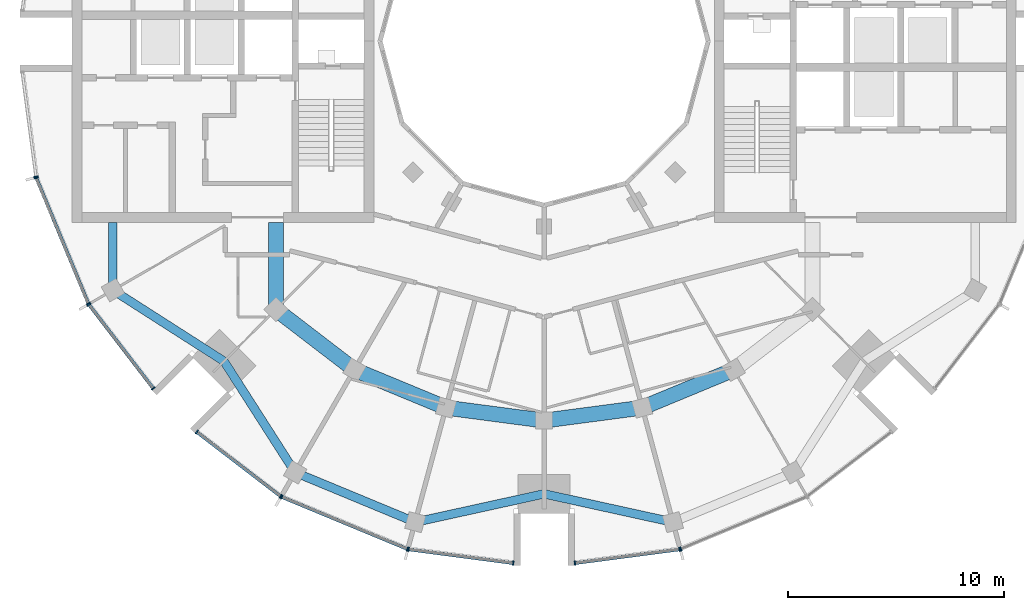
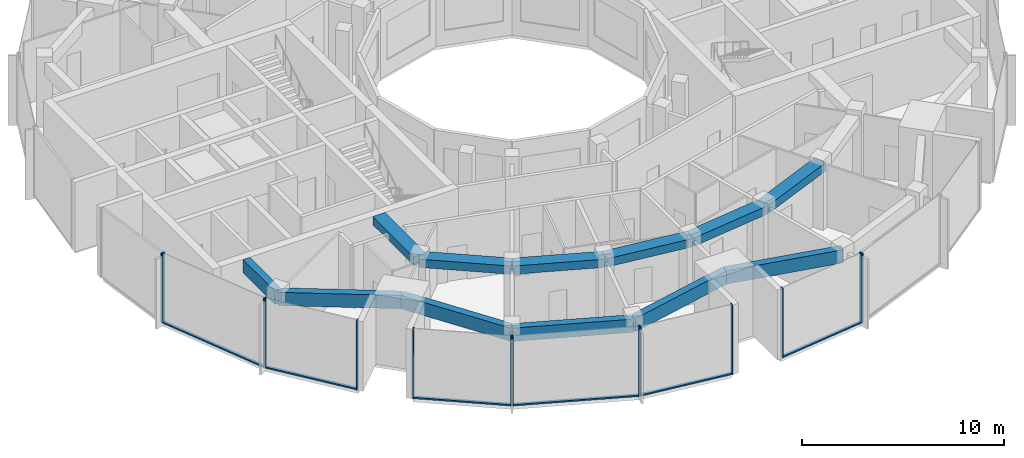
# One storey, part 2 of 15: 20 members, 12 beams, 8 elements without a shape of their own.
"""IFC4 building model written with IfcOpenShell, lengths in metres."""

from ifc_helpers import new_model, si_unit, direction, frame, origin, origin_2d, place, context, subcontext, project, spatial, rectangle, extrude, material, layer, layer_set, material_profile, profile_set, type_object, element, aggregate, save


model = new_model("IFC4")

# Units and contexts
model_context = context("Model", 3, precision=1e-05, world=origin(), true_north=direction((0.0, 1.0)))
body_context = subcontext(model_context, "Body", "Model", "MODEL_VIEW")
ifc_project = project(units=[si_unit("LENGTHUNIT", "METRE"), si_unit("AREAUNIT", "SQUARE_METRE"), si_unit("VOLUMEUNIT", "CUBIC_METRE"), si_unit("PLANEANGLEUNIT", "RADIAN"), si_unit("MASSUNIT", "GRAM", prefix="KILO")], contexts=[model_context])

# Site, building, storey
site_placement = place(None, origin())
site = spatial("IfcSite", under=ifc_project, at=site_placement, CompositionType="ELEMENT")
building_placement = place(site_placement, origin())
building = spatial("IfcBuilding", under=site, at=building_placement, Name="Torre Brocal", CompositionType="ELEMENT")
storey_placement = place(building_placement, frame((0.0, 0.0, 284.10009765625)))
storey = spatial("IfcBuildingStorey", under=building, at=storey_placement, Name="L65", CompositionType="ELEMENT", Elevation=284.10009765625)

# Curtain wall, members
ifc_material_1 = material(Name="Aluminium and glass", Category="aluminium")
ifc_layer_1 = layer(ifc_material_1, 0.199951171875)
ifc_layer_set_1 = layer_set([ifc_layer_1], Name="Aluminium and glass")
curtain_wall_type_1 = type_object("IfcCurtainWallType", Name="CW-1 CURTAIN WALL 4200 HIGH", PredefinedType="NOTDEFINED", material=ifc_layer_set_1)
curtain_wall_1_placement = place(storey_placement, origin())
curtain_wall_1 = element("IfcCurtainWall", 1, at=curtain_wall_1_placement, inside=storey, type_object=curtain_wall_type_1, Name="CW-1 RUN 14", PredefinedType="NOTDEFINED")
ifc_material_2 = material(Name="Aluminium, dark anodised", Category="aluminium")
ifc_material_profile_1 = material_profile(ifc_material_2, rectangle(XDim=0.199951171875, YDim=0.06005859375, at=origin_2d()), Name="CW-1 MULLION 60X200")
ifc_profile_set_1 = profile_set([ifc_material_profile_1], Name="Aluminium, dark anodised")
member_type_1 = type_object("IfcMemberType", Name="CW-1 MULLION 60X200", PredefinedType="MULLION", material=ifc_profile_set_1)
member_1_placement = place(storey_placement, frame((56.443603515625, 68.6572265625, 0.0), z_axis=(0.0, 0.0, 1.0), x_axis=(0.923879532471, 0.382683432462, 0.0)))
member_1 = element("IfcMember", 2, at=member_1_placement, type_object=member_type_1, Name="CW1-5 mullion 1", PredefinedType="MULLION", context=body_context, shape_type="SweptSolid", body=[
    extrude(rectangle(XDim=0.199951171875, YDim=0.06005859375, at=origin_2d()), origin(), (0.0, 0.0, 1.0), 4.199951171875),
])
member_2_placement = place(storey_placement, frame((58.858154296875, 62.828125, 0.0), z_axis=(0.0, 0.0, 1.0), x_axis=(0.923879532471, 0.382683432462, 0.0)))
member_2 = element("IfcMember", 3, at=member_2_placement, type_object=member_type_1, Name="CW1-5 mullion 2", PredefinedType="MULLION", context=body_context, shape_type="SweptSolid", body=[
    extrude(rectangle(XDim=0.199951171875, YDim=0.06005859375, at=origin_2d()), origin(), (0.0, 0.0, 1.0), 4.199951171875),
])

curtain_wall_2_placement = place(storey_placement, origin())
curtain_wall_2 = element("IfcCurtainWall", 4, at=curtain_wall_2_placement, inside=storey, type_object=curtain_wall_type_1, Name="CW-1 RUN 15", PredefinedType="NOTDEFINED")
member_3_placement = place(storey_placement, frame((58.887939453125, 62.776611328125, 0.0), z_axis=(0.0, 0.0, 1.0), x_axis=(0.793353340344, 0.608761428939, 0.0)))
member_3 = element("IfcMember", 5, at=member_3_placement, type_object=member_type_1, Name="CW1-5 mullion 1", PredefinedType="MULLION", context=body_context, shape_type="SweptSolid", body=[
    extrude(rectangle(XDim=0.199951171875, YDim=0.06005859375, at=origin_2d()), origin(), (0.0, 0.0, 1.0), 4.199951171875),
])
member_4_placement = place(storey_placement, frame((61.869384765625, 58.891357421875, 0.0), z_axis=(0.0, 0.0, 1.0), x_axis=(0.793353340344, 0.608761428939, 0.0)))
member_4 = element("IfcMember", 6, at=member_4_placement, type_object=member_type_1, Name="CW1-5 mullion 2", PredefinedType="MULLION", context=body_context, shape_type="SweptSolid", body=[
    extrude(rectangle(XDim=0.199951171875, YDim=0.06005859375, at=origin_2d()), origin(), (0.0, 0.0, 1.0), 4.199951171875),
])

curtain_wall_3_placement = place(storey_placement, origin())
curtain_wall_3 = element("IfcCurtainWall", 7, at=curtain_wall_3_placement, inside=storey, type_object=curtain_wall_type_1, Name="CW-1 RUN 16", PredefinedType="NOTDEFINED")
member_5_placement = place(storey_placement, frame((63.891357421875, 56.869384765625, 0.0), z_axis=(0.0, 0.0, 1.0), x_axis=(0.608761428939, 0.793353340344, 0.0)))
member_5 = element("IfcMember", 8, at=member_5_placement, type_object=member_type_1, Name="CW1-5 mullion 1", PredefinedType="MULLION", context=body_context, shape_type="SweptSolid", body=[
    extrude(rectangle(XDim=0.199951171875, YDim=0.06005859375, at=origin_2d()), origin(), (0.0, 0.0, 1.0), 4.199951171875),
])
member_6_placement = place(storey_placement, frame((67.776611328125, 53.887939453125, 0.0), z_axis=(0.0, 0.0, 1.0), x_axis=(0.608761428939, 0.793353340344, 0.0)))
member_6 = element("IfcMember", 9, at=member_6_placement, type_object=member_type_1, Name="CW1-5 mullion 2", PredefinedType="MULLION", context=body_context, shape_type="SweptSolid", body=[
    extrude(rectangle(XDim=0.199951171875, YDim=0.06005859375, at=origin_2d()), origin(), (0.0, 0.0, 1.0), 4.199951171875),
])

curtain_wall_4_placement = place(storey_placement, origin())
curtain_wall_4 = element("IfcCurtainWall", 10, at=curtain_wall_4_placement, inside=storey, type_object=curtain_wall_type_1, Name="CW-1 RUN 17", PredefinedType="NOTDEFINED")
member_7_placement = place(storey_placement, frame((67.828125, 53.858154296875, 0.0), z_axis=(0.0, 0.0, 1.0), x_axis=(0.382683432462, 0.923879532471, 0.0)))
member_7 = element("IfcMember", 11, at=member_7_placement, type_object=member_type_1, Name="CW1-5 mullion 1", PredefinedType="MULLION", context=body_context, shape_type="SweptSolid", body=[
    extrude(rectangle(XDim=0.199951171875, YDim=0.06005859375, at=origin_2d()), origin(), (0.0, 0.0, 1.0), 4.199951171875),
])
member_8_placement = place(storey_placement, frame((73.6572265625, 51.443603515625, 0.0), z_axis=(0.0, 0.0, 1.0), x_axis=(0.382683432462, 0.923879532471, 0.0)))
member_8 = element("IfcMember", 12, at=member_8_placement, type_object=member_type_1, Name="CW1-5 mullion 2", PredefinedType="MULLION", context=body_context, shape_type="SweptSolid", body=[
    extrude(rectangle(XDim=0.199951171875, YDim=0.06005859375, at=origin_2d()), origin(), (0.0, 0.0, 1.0), 4.199951171875),
])

curtain_wall_5_placement = place(storey_placement, origin())
curtain_wall_5 = element("IfcCurtainWall", 13, at=curtain_wall_5_placement, inside=storey, type_object=curtain_wall_type_1, Name="CW-1 RUN 18", PredefinedType="NOTDEFINED")
member_9_placement = place(storey_placement, frame((73.71484375, 51.42822265625, 0.0), z_axis=(0.0, 0.0, 1.0), x_axis=(0.130526192116, 0.991444861387, 0.0)))
member_9 = element("IfcMember", 14, at=member_9_placement, type_object=member_type_1, Name="CW1-5 mullion 1", PredefinedType="MULLION", context=body_context, shape_type="SweptSolid", body=[
    extrude(rectangle(XDim=0.199951171875, YDim=0.06005859375, at=origin_2d()), origin(), (0.0, 0.0, 1.0), 4.199951171875),
])
member_10_placement = place(storey_placement, frame((78.5703125, 50.7890625, 0.0), z_axis=(0.0, 0.0, 1.0), x_axis=(0.130526192116, 0.991444861387, 0.0)))
member_10 = element("IfcMember", 15, at=member_10_placement, type_object=member_type_1, Name="CW1-5 mullion 2", PredefinedType="MULLION", context=body_context, shape_type="SweptSolid", body=[
    extrude(rectangle(XDim=0.199951171875, YDim=0.06005859375, at=origin_2d()), origin(), (0.0, 0.0, 1.0), 4.199951171875),
])

curtain_wall_6_placement = place(storey_placement, origin())
curtain_wall_6 = element("IfcCurtainWall", 16, at=curtain_wall_6_placement, inside=storey, type_object=curtain_wall_type_1, Name="CW-1 RUN 19", PredefinedType="NOTDEFINED")
member_11_placement = place(storey_placement, frame((81.4296875, 50.7890625, 0.0), z_axis=(0.0, 0.0, 1.0), x_axis=(-0.130526192116, 0.991444861387, 0.0)))
member_11 = element("IfcMember", 17, at=member_11_placement, type_object=member_type_1, Name="CW1-5 mullion 1", PredefinedType="MULLION", context=body_context, shape_type="SweptSolid", body=[
    extrude(rectangle(XDim=0.199951171875, YDim=0.06005859375, at=origin_2d()), origin(), (0.0, 0.0, 1.0), 4.199951171875),
])
member_12_placement = place(storey_placement, frame((86.28515625, 51.42822265625, 0.0), z_axis=(0.0, 0.0, 1.0), x_axis=(-0.130526192116, 0.991444861387, 0.0)))
member_12 = element("IfcMember", 18, at=member_12_placement, type_object=member_type_1, Name="CW1-5 mullion 2", PredefinedType="MULLION", context=body_context, shape_type="SweptSolid", body=[
    extrude(rectangle(XDim=0.199951171875, YDim=0.06005859375, at=origin_2d()), origin(), (0.0, 0.0, 1.0), 4.199951171875),
])

# Curtain wall, member
curtain_wall_7_placement = place(storey_placement, origin())
curtain_wall_7 = element("IfcCurtainWall", 19, at=curtain_wall_7_placement, inside=storey, type_object=curtain_wall_type_1, Name="CW-1 RUN 20", PredefinedType="NOTDEFINED")
member_13_placement = place(storey_placement, frame((86.3427734375, 51.443603515625, 0.0), z_axis=(0.0, 0.0, 1.0), x_axis=(-0.382683432462, 0.923879532471, 0.0)))
member_13 = element("IfcMember", 20, at=member_13_placement, type_object=member_type_1, Name="CW1-5 mullion 1", PredefinedType="MULLION", context=body_context, shape_type="SweptSolid", body=[
    extrude(rectangle(XDim=0.199951171875, YDim=0.06005859375, at=origin_2d()), origin(), (0.0, 0.0, 1.0), 4.199951171875),
])
aggregate(curtain_wall_7, [member_13])

# Member
ifc_material_3 = material(Name="Aluminium, dark anodised", Category="aluminium")
ifc_material_profile_2 = material_profile(ifc_material_3, rectangle(XDim=0.159912109375, YDim=0.080078125, at=origin_2d()), Name="CW-1 TRANSOM 160X80")
ifc_profile_set_2 = profile_set([ifc_material_profile_2], Name="Aluminium, dark anodised")
member_type_2 = type_object("IfcMemberType", Name="CW-1 TRANSOM 160X80", PredefinedType="USERDEFINED", material=ifc_profile_set_2)
member_14_placement = place(storey_placement, frame((56.455322265625, 68.629638671875, 0.039794921875), z_axis=(0.382658872004, -0.923889705363, 0.0), x_axis=(0.923889705363, 0.382658872004, 0.0)))
member_14 = element("IfcMember", 21, at=member_14_placement, type_object=member_type_2, Name="CW1-5 transom 1.1", ObjectType="TRANSOM", PredefinedType="USERDEFINED", context=body_context, shape_type="SweptSolid", body=[
    extrude(rectangle(XDim=0.159912109375, YDim=0.080078125, at=origin_2d()), origin(), (0.0, 0.0, 1.0), 6.249267578125),
])

aggregate(curtain_wall_1, [member_1, member_2, member_14])

member_15_placement = place(storey_placement, frame((58.90625, 62.7529296875, 0.039794921875), z_axis=(0.608749350163, -0.793362608569, 0.0), x_axis=(0.793362608569, 0.608749350163, 0.0)))
member_15 = element("IfcMember", 22, at=member_15_placement, type_object=member_type_2, Name="CW1-5 transom 1.1", ObjectType="TRANSOM", PredefinedType="USERDEFINED", context=body_context, shape_type="SweptSolid", body=[
    extrude(rectangle(XDim=0.159912109375, YDim=0.080078125, at=origin_2d()), origin(), (0.0, 0.0, 1.0), 4.83740234375),
])

aggregate(curtain_wall_2, [member_3, member_4, member_15])

member_16_placement = place(storey_placement, frame((63.9150390625, 56.85107421875, 0.039794921875), z_axis=(0.793362608569, -0.608749350163, 0.0), x_axis=(0.608749350163, 0.793362608569, 0.0)))
member_16 = element("IfcMember", 23, at=member_16_placement, type_object=member_type_2, Name="CW1-5 transom 1.1", ObjectType="TRANSOM", PredefinedType="USERDEFINED", context=body_context, shape_type="SweptSolid", body=[
    extrude(rectangle(XDim=0.159912109375, YDim=0.080078125, at=origin_2d()), origin(), (0.0, 0.0, 1.0), 4.83740234375),
])

aggregate(curtain_wall_3, [member_5, member_6, member_16])

member_17_placement = place(storey_placement, frame((67.85595703125, 53.8466796875, 0.039794921875), z_axis=(0.923889705363, -0.382658872004, 0.0), x_axis=(0.382658872004, 0.923889705363, 0.0)))
member_17 = element("IfcMember", 24, at=member_17_placement, type_object=member_type_2, Name="CW1-5 transom 1.1", ObjectType="TRANSOM", PredefinedType="USERDEFINED", context=body_context, shape_type="SweptSolid", body=[
    extrude(rectangle(XDim=0.159912109375, YDim=0.080078125, at=origin_2d()), origin(), (0.0, 0.0, 1.0), 6.249267578125),
])

aggregate(curtain_wall_4, [member_7, member_8, member_17])

member_18_placement = place(storey_placement, frame((73.74462890625, 51.42431640625, 0.039794921875), z_axis=(0.991446047842, -0.130517179786, 0.0), x_axis=(0.130517179786, 0.991446047842, 0.0)))
member_18 = element("IfcMember", 25, at=member_18_placement, type_object=member_type_2, Name="CW1-5 transom 1.1", ObjectType="TRANSOM", PredefinedType="USERDEFINED", context=body_context, shape_type="SweptSolid", body=[
    extrude(rectangle(XDim=0.159912109375, YDim=0.080078125, at=origin_2d()), origin(), (0.0, 0.0, 1.0), 4.837158203125),
])

aggregate(curtain_wall_5, [member_9, member_10, member_18])

member_19_placement = place(storey_placement, frame((81.45947265625, 50.79296875, 0.039794921875), z_axis=(0.991446047842, 0.130517179786, 0.0), x_axis=(-0.130517179786, 0.991446047842, 0.0)))
member_19 = element("IfcMember", 26, at=member_19_placement, type_object=member_type_2, Name="CW1-5 transom 1.1", ObjectType="TRANSOM", PredefinedType="USERDEFINED", context=body_context, shape_type="SweptSolid", body=[
    extrude(rectangle(XDim=0.159912109375, YDim=0.080078125, at=origin_2d()), origin(), (0.0, 0.0, 1.0), 4.837158203125),
])

aggregate(curtain_wall_6, [member_11, member_12, member_19])

# Curtain wall, member
ifc_material_4 = material(Name="Aluminium and glass", Category="aluminium")
ifc_layer_2 = layer(ifc_material_4, 0.199951171875)
ifc_layer_set_2 = layer_set([ifc_layer_2], Name="Aluminium and glass")
curtain_wall_type_2 = type_object("IfcCurtainWallType", Name="CW-1B CURTAIN WALL 4200 HIGH", PredefinedType="NOTDEFINED", material=ifc_layer_set_2)
curtain_wall_8_placement = place(storey_placement, origin())
curtain_wall_8 = element("IfcCurtainWall", 27, at=curtain_wall_8_placement, inside=storey, type_object=curtain_wall_type_2, Name="CW-1B RUN 13", PredefinedType="NOTDEFINED")
ifc_material_5 = material(Name="Aluminium, dark anodised", Category="aluminium")
ifc_material_profile_3 = material_profile(ifc_material_5, rectangle(XDim=0.199951171875, YDim=0.06005859375, at=origin_2d()), Name="CW-1B MULLION 60X200")
ifc_profile_set_3 = profile_set([ifc_material_profile_3], Name="Aluminium, dark anodised")
member_type_3 = type_object("IfcMemberType", Name="CW-1B MULLION 60X200", PredefinedType="MULLION", material=ifc_profile_set_3)
member_20_placement = place(storey_placement, frame((56.42822265625, 68.71484375, 0.0), z_axis=(0.0, 0.0, 1.0), x_axis=(0.991444861387, 0.130526192116, 0.0)))
member_20 = element("IfcMember", 28, at=member_20_placement, type_object=member_type_3, Name="CW1B-5 mullion 2", PredefinedType="MULLION", context=body_context, shape_type="SweptSolid", body=[
    extrude(rectangle(XDim=0.199951171875, YDim=0.06005859375, at=origin_2d()), origin(), (0.0, 0.0, 1.0), 4.199951171875),
])
aggregate(curtain_wall_8, [member_20])

# Beams
ifc_material_6 = material(Name="Concrete C50", Category="concrete")
ifc_material_profile_4 = material_profile(ifc_material_6, rectangle(XDim=0.699951171875, YDim=0.5, at=origin_2d()), Name="RC 700X500")
ifc_profile_set_4 = profile_set([ifc_material_profile_4], Name="Concrete C50")
beam_type_1 = type_object("IfcBeamType", Name="RC BEAM 700X500 C50 TOP 3880", PredefinedType="BEAM", material=ifc_profile_set_4)
beam_1_placement = place(storey_placement, frame((67.554931640625, 62.554931640625, 3.6298828125), z_axis=(0.0, 1.0, 0.0), x_axis=(-1.0, 0.0, 0.0)))
element("IfcBeam", 29, at=beam_1_placement, inside=storey, type_object=beam_type_1, Name="Beam BT-37", PredefinedType="BEAM", context=body_context, shape_type="SweptSolid", body=[
    extrude(rectangle(XDim=0.699951171875, YDim=0.5, at=origin_2d()), origin(), (0.0, 0.0, 1.0), 4.045166015625),
])
beam_2_placement = place(storey_placement, frame((67.554931640625, 62.554931640625, 3.6298828125), z_axis=(0.793358265959, -0.6087550097, 0.0), x_axis=(0.6087550097, 0.793358265959, 0.0)))
element("IfcBeam", 30, at=beam_2_placement, inside=storey, type_object=beam_type_1, Name="Beam BT-37", PredefinedType="BEAM", context=body_context, shape_type="SweptSolid", body=[
    extrude(rectangle(XDim=0.699951171875, YDim=0.5, at=origin_2d()), origin(), (0.0, 0.0, 1.0), 4.594482421875),
])
beam_3_placement = place(storey_placement, frame((71.199951171875, 59.758056640625, 3.6298828125), z_axis=(0.923878240166, -0.382686552348, 0.0), x_axis=(0.382686552348, 0.923878240166, 0.0)))
element("IfcBeam", 31, at=beam_3_placement, inside=storey, type_object=beam_type_1, Name="Beam BT-37", PredefinedType="BEAM", context=body_context, shape_type="SweptSolid", body=[
    extrude(rectangle(XDim=0.699951171875, YDim=0.5, at=origin_2d()), origin(), (0.0, 0.0, 1.0), 4.5947265625),
])
for number, where, z_axis, x_axis, name in (
    (32, (75.44482421875, 57.999755859375, 3.6298828125), (0.991440544449, -0.130558978332, 0.0), (0.130558978332, 0.991440544449, 0.0), "Beam BT-37"),
    (33, (80.0, 57.39990234375, 3.6298828125), (0.991440544449, 0.130558978332, 0.0), (-0.130558978332, 0.991440544449, 0.0), "Beam BT-37"),
):
    element("IfcBeam", number, at=place(storey_placement, frame(where, z_axis=z_axis, x_axis=x_axis)), inside=storey, type_object=beam_type_1, Name=name, PredefinedType="BEAM", context=body_context, shape_type="SweptSolid", body=[
        extrude(rectangle(XDim=0.699951171875, YDim=0.5, at=origin_2d()), origin(), (0.0, 0.0, 1.0), 4.594482421875),
    ])
beam_4_placement = place(storey_placement, frame((84.55517578125, 57.999755859375, 3.6298828125), z_axis=(0.923878240166, 0.382686552348, 0.0), x_axis=(-0.382686552348, 0.923878240166, 0.0)))
element("IfcBeam", 34, at=beam_4_placement, inside=storey, type_object=beam_type_1, Name="Beam BT-37", PredefinedType="BEAM", context=body_context, shape_type="SweptSolid", body=[
    extrude(rectangle(XDim=0.699951171875, YDim=0.5, at=origin_2d()), origin(), (0.0, 0.0, 1.0), 4.5947265625),
])
ifc_material_7 = material(Name="Concrete C50", Category="concrete")
ifc_material_profile_5 = material_profile(ifc_material_7, rectangle(XDim=0.39990234375, YDim=0.800048828125, at=origin_2d()), Name="RC 400X800")
ifc_profile_set_5 = profile_set([ifc_material_profile_5], Name="Concrete C50")
beam_type_2 = type_object("IfcBeamType", Name="RC SPANDREL BEAM 400X800 C50 TOP 3880", PredefinedType="SPANDREL", material=ifc_profile_set_5)
beam_5_placement = place(storey_placement, frame((59.994873046875, 63.449951171875, 3.47998046875), z_axis=(0.0, 1.0, 0.0), x_axis=(-1.0, 0.0, 0.0)))
element("IfcBeam", 35, at=beam_5_placement, inside=storey, type_object=beam_type_2, Name="Beam BT-47", PredefinedType="SPANDREL", context=body_context, shape_type="SweptSolid", body=[
    extrude(rectangle(XDim=0.39990234375, YDim=0.800048828125, at=origin_2d()), origin(), (0.0, 0.0, 1.0), 3.150146484375),
])
for number, where, z_axis, x_axis, name in (
    (36, (59.994873046875, 63.449951171875, 3.47998046875), (0.842328620069, -0.538964280647, 0.0), (0.538964280647, 0.842328620069, 0.0), "Beam BT-47"),
    (37, (65.15087890625, 60.15087890625, 3.47998046875), (0.538964280647, -0.842328620069, 0.0), (0.842328620069, 0.538964280647, 0.0), "Beam BT-47"),
):
    element("IfcBeam", number, at=place(storey_placement, frame(where, z_axis=z_axis, x_axis=x_axis)), inside=storey, type_object=beam_type_2, Name=name, PredefinedType="SPANDREL", context=body_context, shape_type="SweptSolid", body=[
        extrude(rectangle(XDim=0.39990234375, YDim=0.800048828125, at=origin_2d()), origin(), (0.0, 0.0, 1.0), 6.12109375),
    ])
beam_6_placement = place(storey_placement, frame((68.449951171875, 54.994873046875, 3.47998046875), z_axis=(0.923870278372, -0.38270577307, 0.0), x_axis=(0.38270577307, 0.923870278372, 0.0)))
element("IfcBeam", 38, at=beam_6_placement, inside=storey, type_object=beam_type_2, Name="Beam BT-47", PredefinedType="SPANDREL", context=body_context, shape_type="SweptSolid", body=[
    extrude(rectangle(XDim=0.39990234375, YDim=0.800048828125, at=origin_2d()), origin(), (0.0, 0.0, 1.0), 6.0302734375),
])
for number, where, z_axis, x_axis, name in (
    (39, (74.021240234375, 52.68701171875, 3.47998046875), (0.976724578001, 0.214497316366, 0.0), (-0.214497316366, 0.976724578001, 0.0), "Beam BT-47"),
    (40, (80.0, 54.0, 3.47998046875), (0.976724578001, -0.214497316366, 0.0), (0.214497316366, 0.976724578001, 0.0), "Beam BT-47"),
):
    element("IfcBeam", number, at=place(storey_placement, frame(where, z_axis=z_axis, x_axis=x_axis)), inside=storey, type_object=beam_type_2, Name=name, PredefinedType="SPANDREL", context=body_context, shape_type="SweptSolid", body=[
        extrude(rectangle(XDim=0.39990234375, YDim=0.800048828125, at=origin_2d()), origin(), (0.0, 0.0, 1.0), 6.121337890625),
    ])

save(model, "model.ifc")
